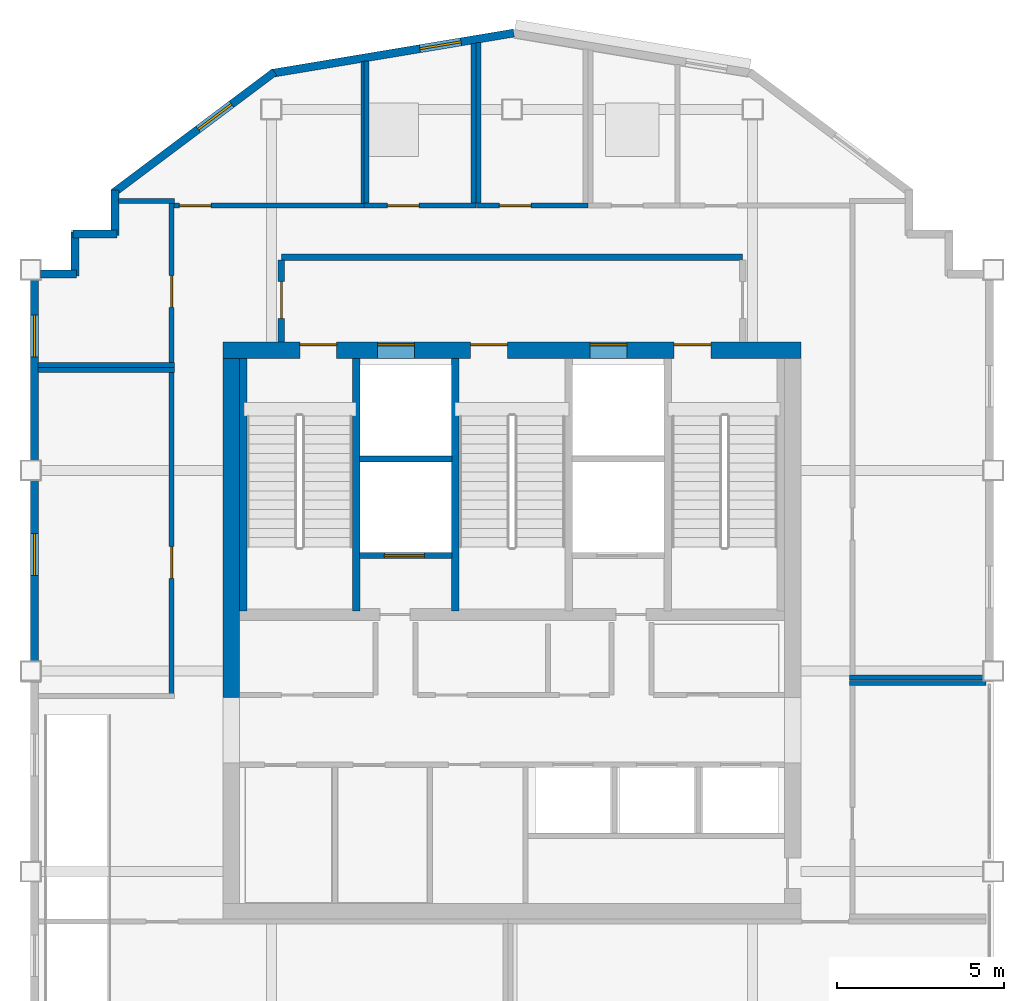
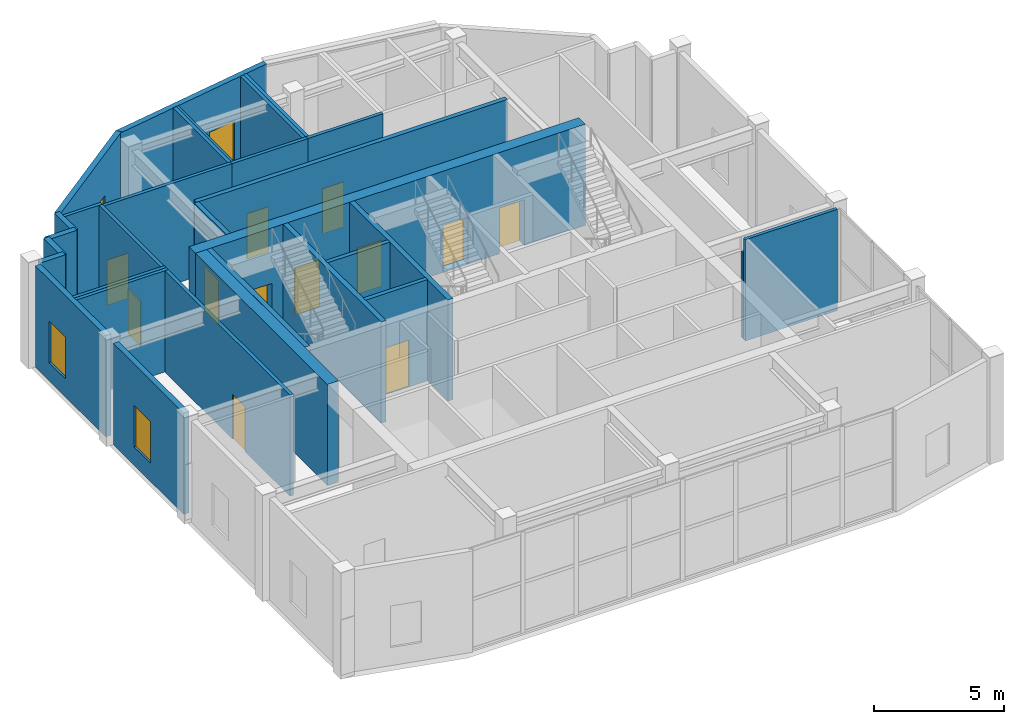
# One storey, part 8 of 11: 31 walls, 12 doors, 4 windows, 16 openings.
"""IFC4 building model written with IfcOpenShell, lengths in metres."""

from ifc_helpers import new_model, si_unit, direction, frame, frame_2d, origin, place, context, subcontext, project, spatial, rectangle, extrude, material, layer, layer_set, type_object, element, fill, save


model = new_model("IFC4")

# Units and contexts
model_context = context("Model", 3, precision=1e-05, world=origin(), true_north=direction((0.0, 1.0)))
body_context = subcontext(model_context, "Body", "Model", "MODEL_VIEW")
ifc_project = project(units=[si_unit("LENGTHUNIT", "METRE"), si_unit("AREAUNIT", "SQUARE_METRE"), si_unit("VOLUMEUNIT", "CUBIC_METRE"), si_unit("PLANEANGLEUNIT", "RADIAN"), si_unit("MASSUNIT", "GRAM", prefix="KILO")], contexts=[model_context])

# Site, building, storey
site_placement = place(None, origin())
site = spatial("IfcSite", under=ifc_project, at=site_placement, CompositionType="ELEMENT")
building_placement = place(site_placement, origin())
building = spatial("IfcBuilding", under=site, at=building_placement, Name="Haolan Belvedere Tower", CompositionType="ELEMENT")
storey_placement = place(building_placement, frame((0.0, 0.0, 323.199951171875)))
storey = spatial("IfcBuildingStorey", under=building, at=storey_placement, Name="L81", CompositionType="ELEMENT", Elevation=323.199951171875)

# Wall, openings, doors
ifc_material_1 = material(Name="Concrete C50/60", Category="concrete")
ifc_layer_1 = layer(ifc_material_1, 0.5, Name="Concrete C50/60")
ifc_layer_set_1 = layer_set([ifc_layer_1], Name="Concrete C50/60")
wall_type_1 = type_object("IfcWallType", Name="WL-CORE-500", PredefinedType="SHEAR", material=ifc_layer_set_1)
wall_1_placement = place(storey_placement, frame((29.75, 43.199951171875, 0.0), z_axis=(0.0, 0.0, 1.0), x_axis=(1.0, 0.0, 0.0)))
wall_1 = element("IfcWall", 1, at=wall_1_placement, inside=storey, type_object=wall_type_1, Name="L81 central core north shear wall", PredefinedType="SHEAR", context=body_context, shape_type="SweptSolid", body=[
    extrude(rectangle(XDim=17.300048828125, YDim=0.5, at=frame_2d((8.64990234375, 0.0))), origin(), (0.0, 0.0, 1.0), 4.75),
])
opening_1_placement = place(wall_1_placement, frame((2.300048828125, 0.0, 0.0)))
opening_1 = element("IfcOpeningElement", 2, at=opening_1_placement, cuts=wall_1, Name="Opening FD-03", PredefinedType="OPENING", context=body_context, shape_type="SweptSolid", body=[
    extrude(rectangle(XDim=1.10009765625, YDim=2.14990234375, at=frame_2d((0.550048828125, 1.074951171875))), frame((0.0, 0.260009765625, 0.0), z_axis=(0.0, -1.0, 0.0), x_axis=(1.0, 0.0, 0.0)), (0.0, 0.0, 1.0), 0.52001953125),
])
opening_2_placement = place(wall_1_placement, frame((7.409912109375, 0.0, 0.0)))
opening_2 = element("IfcOpeningElement", 3, at=opening_2_placement, cuts=wall_1, Name="Opening FD-03", PredefinedType="OPENING", context=body_context, shape_type="SweptSolid", body=[
    extrude(rectangle(XDim=1.10009765625, YDim=2.14990234375, at=frame_2d((0.550048828125, 1.074951171875))), frame((0.0, 0.260009765625, 0.0), z_axis=(0.0, -1.0, 0.0), x_axis=(1.0, 0.0, 0.0)), (0.0, 0.0, 1.0), 0.52001953125),
])
opening_3_placement = place(wall_1_placement, frame((13.5, 0.0, 0.0)))
opening_3 = element("IfcOpeningElement", 4, at=opening_3_placement, cuts=wall_1, Name="Opening FD-03", PredefinedType="OPENING", context=body_context, shape_type="SweptSolid", body=[
    extrude(rectangle(XDim=1.10009765625, YDim=2.14990234375, at=frame_2d((0.550048828125, 1.074951171875))), frame((0.0, 0.260009765625, 0.0), z_axis=(0.0, -1.0, 0.0), x_axis=(1.0, 0.0, 0.0)), (0.0, 0.0, 1.0), 0.52001953125),
])
opening_4_placement = place(wall_1_placement, frame((4.6298828125, 0.0, 0.0)))
opening_4 = element("IfcOpeningElement", 5, at=opening_4_placement, cuts=wall_1, Name="Opening LD-01", PredefinedType="OPENING", context=body_context, shape_type="SweptSolid", body=[
    extrude(rectangle(XDim=1.10009765625, YDim=2.199951171875, at=frame_2d((0.550048828125, 1.10009765625))), frame((0.0, 0.260009765625, 0.0), z_axis=(0.0, -1.0, 0.0), x_axis=(1.0, 0.0, 0.0)), (0.0, 0.0, 1.0), 0.52001953125),
])
opening_5_placement = place(wall_1_placement, frame((10.989990234375, 0.0, 0.0)))
opening_5 = element("IfcOpeningElement", 6, at=opening_5_placement, cuts=wall_1, Name="Opening LD-01", PredefinedType="OPENING", context=body_context, shape_type="SweptSolid", body=[
    extrude(rectangle(XDim=1.10009765625, YDim=2.199951171875, at=frame_2d((0.550048828125, 1.10009765625))), frame((0.0, 0.260009765625, 0.0), z_axis=(0.0, -1.0, 0.0), x_axis=(1.0, 0.0, 0.0)), (0.0, 0.0, 1.0), 0.52001953125),
])
ifc_material_2 = material(Name="Galvanised fire-rated steel", Category="steel")
door_type_1 = type_object("IfcDoorType", Name="DR-FD90-1100", OperationType="NOTDEFINED", PredefinedType="DOOR", material=ifc_material_2)
door_1_placement = place(opening_1_placement, origin())
door_1 = element("IfcDoor", 7, at=door_1_placement, inside=storey, type_object=door_type_1, Name="L81 door CD-L81-ST1", OperationType="SINGLE_SWING_LEFT", OverallHeight=2.14990234375, OverallWidth=1.10009765625, PredefinedType="DOOR", context=body_context, shape_type="SweptSolid", body=[
    extrude(rectangle(XDim=1.10009765625, YDim=2.14990234375, at=frame_2d((0.550048828125, 1.074951171875))), frame((0.0, 0.18505859375, 0.0), z_axis=(0.0, -1.0, 0.0), x_axis=(1.0, 0.0, 0.0)), (0.0, 0.0, 1.0), 0.050048828125),
])
fill(opening_1, door_1)
door_2_placement = place(opening_2_placement, origin())
door_2 = element("IfcDoor", 8, at=door_2_placement, inside=storey, type_object=door_type_1, Name="L81 door CD-L81-ST3", OperationType="SINGLE_SWING_LEFT", OverallHeight=2.14990234375, OverallWidth=1.10009765625, PredefinedType="DOOR", context=body_context, shape_type="SweptSolid", body=[
    extrude(rectangle(XDim=1.10009765625, YDim=2.14990234375, at=frame_2d((0.550048828125, 1.074951171875))), frame((0.0, 0.18505859375, 0.0), z_axis=(0.0, -1.0, 0.0), x_axis=(1.0, 0.0, 0.0)), (0.0, 0.0, 1.0), 0.050048828125),
])
fill(opening_2, door_2)
door_3_placement = place(opening_3_placement, origin())
door_3 = element("IfcDoor", 9, at=door_3_placement, inside=storey, type_object=door_type_1, Name="L81 door CD-L81-ST2", OperationType="SINGLE_SWING_RIGHT", OverallHeight=2.14990234375, OverallWidth=1.10009765625, PredefinedType="DOOR", context=body_context, shape_type="SweptSolid", body=[
    extrude(rectangle(XDim=1.10009765625, YDim=2.14990234375, at=frame_2d((0.550048828125, 1.074951171875))), frame((0.0, 0.18505859375, 0.0), z_axis=(0.0, -1.0, 0.0), x_axis=(1.0, 0.0, 0.0)), (0.0, 0.0, 1.0), 0.050048828125),
])
fill(opening_3, door_3)
ifc_material_3 = material(Name="Brushed champagne stainless steel 316L", Category="steel")
door_type_2 = type_object("IfcDoorType", Name="DR-LIFT-1100", OperationType="SLIDING_TO_LEFT", PredefinedType="DOOR", material=ifc_material_3)
door_4_placement = place(opening_4_placement, origin())
door_4 = element("IfcDoor", 10, at=door_4_placement, inside=storey, type_object=door_type_2, Name="L81 door LD-L81-FF1", OperationType="SLIDING_TO_LEFT", OverallHeight=2.199951171875, OverallWidth=1.10009765625, PredefinedType="DOOR", context=body_context, shape_type="SweptSolid", body=[
    extrude(rectangle(XDim=1.10009765625, YDim=2.199951171875, at=frame_2d((0.550048828125, 1.10009765625))), frame((0.0, 0.18505859375, 0.0), z_axis=(0.0, -1.0, 0.0), x_axis=(1.0, 0.0, 0.0)), (0.0, 0.0, 1.0), 0.050048828125),
])
fill(opening_4, door_4)
door_5_placement = place(opening_5_placement, origin())
door_5 = element("IfcDoor", 11, at=door_5_placement, inside=storey, type_object=door_type_2, Name="L81 door LD-L81-FF2", OperationType="SLIDING_TO_LEFT", OverallHeight=2.199951171875, OverallWidth=1.10009765625, PredefinedType="DOOR", context=body_context, shape_type="SweptSolid", body=[
    extrude(rectangle(XDim=1.10009765625, YDim=2.199951171875, at=frame_2d((0.550048828125, 1.10009765625))), frame((0.0, 0.18505859375, 0.0), z_axis=(0.0, -1.0, 0.0), x_axis=(1.0, 0.0, 0.0)), (0.0, 0.0, 1.0), 0.050048828125),
])
fill(opening_5, door_5)

# Wall
wall_2_placement = place(storey_placement, frame((30.0, 32.800048828125, 0.0), z_axis=(0.0, 0.0, 1.0), x_axis=(0.0, 1.0, 0.0)))
element("IfcWall", 12, at=wall_2_placement, inside=storey, type_object=wall_type_1, Name="L81 central core shear wall WN", PredefinedType="SHEAR", context=body_context, shape_type="SweptSolid", body=[
    extrude(rectangle(XDim=10.14990234375, YDim=0.5, at=frame_2d((5.074951171875, 0.0))), origin(), (0.0, 0.0, 1.0), 4.75),
])

# Wall, opening, window
ifc_material_4 = material(Name="Precast concrete C40/50", Category="concrete")
ifc_layer_2 = layer(ifc_material_4, 0.239990234375, Name="Precast concrete C40/50")
ifc_layer_set_2 = layer_set([ifc_layer_2], Name="Precast concrete C40/50")
wall_type_2 = type_object("IfcWallType", Name="WL-EXT-240", PredefinedType="SOLIDWALL", material=ifc_layer_set_2)
wall_3_placement = place(storey_placement, frame((38.454345703125, 52.687255859375, 0.0), z_axis=(0.0, 0.0, 1.0), x_axis=(-0.986394820321, -0.164393608283, 0.0)))
wall_3 = element("IfcWall", 13, at=wall_3_placement, inside=storey, type_object=wall_type_2, Name="L81 pale-metal exterior spandrel wall 10.1", PredefinedType="SOLIDWALL", context=body_context, shape_type="SweptSolid", body=[
    extrude(rectangle(XDim=7.360107421875, YDim=0.239990234375, at=frame_2d((3.68017578125, 0.0))), origin(), (0.0, 0.0, 1.0), 4.75),
])
opening_6_placement = place(wall_3_placement, frame((1.60009765625, 0.0, 0.85009765625)))
opening_6 = element("IfcOpeningElement", 14, at=opening_6_placement, cuts=wall_3, Name="Opening W-04", PredefinedType="OPENING", context=body_context, shape_type="SweptSolid", body=[
    extrude(rectangle(XDim=1.25, YDim=1.949951171875, at=frame_2d((0.625, 0.97509765625))), frame((0.0, 0.1298828125, 0.0), z_axis=(0.0, -1.0, 0.0), x_axis=(1.0, 0.0, 0.0)), (0.0, 0.0, 1.0), 0.260009765625),
])
ifc_material_5 = material(Name="Anodised aluminium 6063-T6 and Low-E glass", Category="aluminium")
window_type = type_object("IfcWindowType", Name="WN-DECO-Z4", PartitioningType="SINGLE_PANEL", PredefinedType="WINDOW", material=ifc_material_5)
window_1_placement = place(opening_6_placement, origin())
window_1 = element("IfcWindow", 15, at=window_1_placement, inside=storey, type_object=window_type, Name="L81 Art Deco chevron window 1", OverallHeight=1.949951171875, OverallWidth=1.25, PartitioningType="SINGLE_PANEL", PredefinedType="WINDOW", context=body_context, shape_type="SweptSolid", body=[
    extrude(rectangle(XDim=1.25, YDim=1.949951171875, at=frame_2d((0.625, 0.97509765625))), frame((0.0, 0.030029296875, 0.0), z_axis=(0.0, -1.0, 0.0), x_axis=(1.0, 0.0, 0.0)), (0.0, 0.0, 1.0), 0.06005859375),
])
fill(opening_6, window_1)

wall_4_placement = place(storey_placement, frame((31.29248046875, 51.519287109375, 0.0), z_axis=(0.0, 0.0, 1.0), x_axis=(-0.8, -0.6, 0.0)))
wall_4 = element("IfcWall", 16, at=wall_4_placement, inside=storey, type_object=wall_type_2, Name="L81 pale-metal exterior spandrel wall 11.1", PredefinedType="SOLIDWALL", context=body_context, shape_type="SweptSolid", body=[
    extrude(rectangle(XDim=6.0205078125, YDim=0.239990234375, at=frame_2d((3.01025390625, 0.0))), origin(), (0.0, 0.0, 1.0), 4.75),
])
opening_7_placement = place(wall_4_placement, frame((1.60009765625, 0.0, 0.85009765625)))
opening_7 = element("IfcOpeningElement", 17, at=opening_7_placement, cuts=wall_4, Name="Opening W-04", PredefinedType="OPENING", context=body_context, shape_type="SweptSolid", body=[
    extrude(rectangle(XDim=1.25, YDim=1.949951171875, at=frame_2d((0.625, 0.97509765625))), frame((0.0, 0.1298828125, 0.0), z_axis=(0.0, -1.0, 0.0), x_axis=(1.0, 0.0, 0.0)), (0.0, 0.0, 1.0), 0.260009765625),
])
window_2_placement = place(opening_7_placement, origin())
window_2 = element("IfcWindow", 18, at=window_2_placement, inside=storey, type_object=window_type, Name="L81 Art Deco chevron window 1", OverallHeight=1.949951171875, OverallWidth=1.25, PartitioningType="SINGLE_PANEL", PredefinedType="WINDOW", context=body_context, shape_type="SweptSolid", body=[
    extrude(rectangle(XDim=1.25, YDim=1.949951171875, at=frame_2d((0.625, 0.97509765625))), frame((0.0, 0.030029296875, 0.0), z_axis=(0.0, -1.0, 0.0), x_axis=(1.0, 0.0, 0.0)), (0.0, 0.0, 1.0), 0.06005859375),
])
fill(opening_7, window_2)

# Walls
wall_5_placement = place(storey_placement, frame((26.52001953125, 47.9951171875, 0.0), z_axis=(0.0, 0.0, 1.0), x_axis=(0.0, -1.0, 0.0)))
element("IfcWall", 19, at=wall_5_placement, inside=storey, type_object=wall_type_2, Name="L81 pale-metal exterior spandrel wall 12.1", PredefinedType="SOLIDWALL", context=body_context, shape_type="SweptSolid", body=[
    extrude(rectangle(XDim=1.3701171875, YDim=0.239990234375, at=frame_2d((0.68505859375, 0.0))), origin(), (0.0, 0.0, 1.0), 4.75),
])
for number, where, z_axis, x_axis, name in (
    (20, (26.574951171875, 46.679931640625, 0.0), (0.0, 0.0, 1.0), (-1.0, 0.0, 0.0), "L81 pale-metal exterior spandrel wall 13.1"),
    (21, (25.320068359375, 46.735107421875, 0.0), (0.0, 0.0, 1.0), (0.0, -1.0, 0.0), "L81 pale-metal exterior spandrel wall 14.1"),
):
    element("IfcWall", number, at=place(storey_placement, frame(where, z_axis=z_axis, x_axis=x_axis)), inside=storey, type_object=wall_type_2, Name=name, PredefinedType="SOLIDWALL", context=body_context, shape_type="SweptSolid", body=[
        extrude(rectangle(XDim=1.31005859375, YDim=0.239990234375, at=frame_2d((0.655029296875, 0.0))), origin(), (0.0, 0.0, 1.0), 4.75),
    ])
wall_6_placement = place(storey_placement, frame((25.375, 45.47998046875, 0.0), z_axis=(0.0, 0.0, 1.0), x_axis=(-1.0, 0.0, 0.0)))
element("IfcWall", 22, at=wall_6_placement, inside=storey, type_object=wall_type_2, Name="L81 pale-metal exterior spandrel wall 15.1", PredefinedType="SOLIDWALL", context=body_context, shape_type="SweptSolid", body=[
    extrude(rectangle(XDim=1.0830078125, YDim=0.239990234375, at=frame_2d((0.54150390625, 0.0))), origin(), (0.0, 0.0, 1.0), 4.75),
])

# Wall, opening, window
wall_7_placement = place(storey_placement, frame((24.1201171875, 45.30810546875, 0.0), z_axis=(0.0, 0.0, 1.0), x_axis=(0.0, -1.0, 0.0)))
wall_7 = element("IfcWall", 23, at=wall_7_placement, inside=storey, type_object=wall_type_2, Name="L81 pale-metal exterior spandrel wall 16.1", PredefinedType="SOLIDWALL", context=body_context, shape_type="SweptSolid", body=[
    extrude(rectangle(XDim=5.416015625, YDim=0.239990234375, at=frame_2d((2.7080078125, 0.0))), origin(), (0.0, 0.0, 1.0), 4.75),
])
opening_8_placement = place(wall_7_placement, frame((1.06298828125, 0.0, 0.85009765625)))
opening_8 = element("IfcOpeningElement", 24, at=opening_8_placement, cuts=wall_7, Name="Opening W-04", PredefinedType="OPENING", context=body_context, shape_type="SweptSolid", body=[
    extrude(rectangle(XDim=1.25, YDim=1.949951171875, at=frame_2d((0.625, 0.97509765625))), frame((0.0, 0.1298828125, 0.0), z_axis=(0.0, -1.0, 0.0), x_axis=(1.0, 0.0, 0.0)), (0.0, 0.0, 1.0), 0.260009765625),
])
window_3_placement = place(opening_8_placement, origin())
window_3 = element("IfcWindow", 25, at=window_3_placement, inside=storey, type_object=window_type, Name="L81 Art Deco chevron window 1", OverallHeight=1.949951171875, OverallWidth=1.25, PartitioningType="SINGLE_PANEL", PredefinedType="WINDOW", context=body_context, shape_type="SweptSolid", body=[
    extrude(rectangle(XDim=1.25, YDim=1.949951171875, at=frame_2d((0.625, 0.97509765625))), frame((0.0, 0.030029296875, 0.0), z_axis=(0.0, -1.0, 0.0), x_axis=(1.0, 0.0, 0.0)), (0.0, 0.0, 1.0), 0.06005859375),
])
fill(opening_8, window_3)

wall_8_placement = place(storey_placement, frame((24.1201171875, 39.30810546875, 0.0), z_axis=(0.0, 0.0, 1.0), x_axis=(0.0, -1.0, 0.0)))
wall_8 = element("IfcWall", 26, at=wall_8_placement, inside=storey, type_object=wall_type_2, Name="L81 pale-metal exterior spandrel wall 16.2", PredefinedType="SOLIDWALL", context=body_context, shape_type="SweptSolid", body=[
    extrude(rectangle(XDim=5.416015625, YDim=0.239990234375, at=frame_2d((2.7080078125, 0.0))), origin(), (0.0, 0.0, 1.0), 4.75),
])
opening_9_placement = place(wall_8_placement, frame((1.60009765625, 0.0, 0.85009765625)))
opening_9 = element("IfcOpeningElement", 27, at=opening_9_placement, cuts=wall_8, Name="Opening W-04", PredefinedType="OPENING", context=body_context, shape_type="SweptSolid", body=[
    extrude(rectangle(XDim=1.25, YDim=1.949951171875, at=frame_2d((0.625, 0.97509765625))), frame((0.0, 0.1298828125, 0.0), z_axis=(0.0, -1.0, 0.0), x_axis=(1.0, 0.0, 0.0)), (0.0, 0.0, 1.0), 0.260009765625),
])
window_4_placement = place(opening_9_placement, origin())
window_4 = element("IfcWindow", 28, at=window_4_placement, inside=storey, type_object=window_type, Name="L81 Art Deco chevron window 1", OverallHeight=1.949951171875, OverallWidth=1.25, PartitioningType="SINGLE_PANEL", PredefinedType="WINDOW", context=body_context, shape_type="SweptSolid", body=[
    extrude(rectangle(XDim=1.25, YDim=1.949951171875, at=frame_2d((0.625, 0.97509765625))), frame((0.0, 0.030029296875, 0.0), z_axis=(0.0, -1.0, 0.0), x_axis=(1.0, 0.0, 0.0)), (0.0, 0.0, 1.0), 0.06005859375),
])
fill(opening_9, window_4)

# Wall
ifc_material_6 = material(Name="Concrete C40/50", Category="concrete")
ifc_layer_3 = layer(ifc_material_6, 0.199951171875, Name="Concrete C40/50")
ifc_layer_set_3 = layer_set([ifc_layer_3], Name="Concrete C40/50")
wall_type_3 = type_object("IfcWallType", Name="WL-FIRE-200", PredefinedType="SOLIDWALL", material=ifc_layer_set_3)
wall_9_placement = place(storey_placement, frame((31.5, 45.97998046875, 0.0), z_axis=(0.0, 0.0, 1.0), x_axis=(1.0, 0.0, 0.0)))
element("IfcWall", 29, at=wall_9_placement, inside=storey, type_object=wall_type_3, Name="L81 interior partition IW-L81-FFL-N", PredefinedType="SOLIDWALL", context=body_context, shape_type="SweptSolid", body=[
    extrude(rectangle(XDim=13.800048828125, YDim=0.199951171875, at=frame_2d((6.89990234375, 0.0))), origin(), (0.0, 0.0, 1.0), 4.75),
])

# Wall, opening, door
wall_10_placement = place(storey_placement, frame((31.5, 43.449951171875, 0.0), z_axis=(0.0, 0.0, 1.0), x_axis=(0.0, 1.0, 0.0)))
wall_10 = element("IfcWall", 30, at=wall_10_placement, inside=storey, type_object=wall_type_3, Name="L81 interior partition IW-L81-FFL-W", PredefinedType="SOLIDWALL", context=body_context, shape_type="SweptSolid", body=[
    extrude(rectangle(XDim=2.445068359375, YDim=0.199951171875, at=frame_2d((1.22265625, 0.0))), origin(), (0.0, 0.0, 1.0), 4.75),
])
opening_10_placement = place(wall_10_placement, frame((1.800048828125, 0.0, 0.0), z_axis=(0.0, 0.0, 1.0), x_axis=(-1.0, 0.0, 0.0)))
opening_10 = element("IfcOpeningElement", 31, at=opening_10_placement, cuts=wall_10, Name="Opening FD-03", PredefinedType="OPENING", context=body_context, shape_type="SweptSolid", body=[
    extrude(rectangle(XDim=1.10009765625, YDim=2.14990234375, at=frame_2d((0.550048828125, 1.074951171875))), frame((0.0, 0.10986328125, 0.0), z_axis=(0.0, -1.0, 0.0), x_axis=(1.0, 0.0, 0.0)), (0.0, 0.0, 1.0), 0.219970703125),
])
door_6_placement = place(opening_10_placement, origin())
door_6 = element("IfcDoor", 32, at=door_6_placement, inside=storey, type_object=door_type_1, Name="L81 door ID-L81-FFL-DW", OperationType="SINGLE_SWING_LEFT", OverallHeight=2.14990234375, OverallWidth=1.10009765625, PredefinedType="DOOR", context=body_context, shape_type="SweptSolid", body=[
    extrude(rectangle(XDim=1.10009765625, YDim=2.14990234375, at=frame_2d((0.550048828125, 1.074951171875))), frame((0.0, 0.02490234375, 0.0), z_axis=(0.0, -1.0, 0.0), x_axis=(1.0, 0.0, 0.0)), (0.0, 0.0, 1.0), 0.050048828125),
])
fill(opening_10, door_6)

ifc_material_7 = material(Name="Double gypsum acoustic stud partition", Category="masonry")
ifc_layer_4 = layer(ifc_material_7, 0.14990234375, Name="Double gypsum acoustic stud partition")
ifc_layer_set_4 = layer_set([ifc_layer_4], Name="Double gypsum acoustic stud partition")
wall_type_4 = type_object("IfcWallType", Name="WL-PART-150", PredefinedType="PARTITIONING", material=ifc_layer_set_4)
wall_11_placement = place(storey_placement, frame((33.969970703125, 47.52001953125, 0.0), z_axis=(0.0, 0.0, 1.0), x_axis=(1.0, 0.0, 0.0)))
wall_11 = element("IfcWall", 33, at=wall_11_placement, inside=storey, type_object=wall_type_4, Name="L81 interior partition IW-L81-WCM-S", PredefinedType="PARTITIONING", context=body_context, shape_type="SweptSolid", body=[
    extrude(rectangle(XDim=3.360107421875, YDim=0.14990234375, at=frame_2d((1.68017578125, 0.0))), origin(), (0.0, 0.0, 1.0), 4.75),
])
opening_11_placement = place(wall_11_placement, frame((0.699951171875, 0.0, 0.0)))
opening_11 = element("IfcOpeningElement", 34, at=opening_11_placement, cuts=wall_11, Name="Opening ID-03", PredefinedType="OPENING", context=body_context, shape_type="SweptSolid", body=[
    extrude(rectangle(XDim=0.949951171875, YDim=2.1201171875, at=frame_2d((0.47509765625, 1.06005859375))), frame((0.0, 0.0849609375, 0.0), z_axis=(0.0, -1.0, 0.0), x_axis=(1.0, 0.0, 0.0)), (0.0, 0.0, 1.0), 0.169921875),
])
ifc_material_8 = material(Name="Painted solid-core timber", Category="wood")
door_type_3 = type_object("IfcDoorType", Name="DR-INT-950", OperationType="NOTDEFINED", PredefinedType="DOOR", material=ifc_material_8)
door_7_placement = place(opening_11_placement, origin())
door_7 = element("IfcDoor", 35, at=door_7_placement, inside=storey, type_object=door_type_3, Name="L81 door ID-L81-WCM", OperationType="SINGLE_SWING_LEFT", OverallHeight=2.1201171875, OverallWidth=0.949951171875, PredefinedType="DOOR", context=body_context, shape_type="SweptSolid", body=[
    extrude(rectangle(XDim=0.949951171875, YDim=2.1201171875, at=frame_2d((0.47509765625, 1.06005859375))), frame((0.0, 0.02490234375, 0.0), z_axis=(0.0, -1.0, 0.0), x_axis=(1.0, 0.0, 0.0)), (0.0, 0.0, 1.0), 0.050048828125),
])
fill(opening_11, door_7)

# Walls
wall_12_placement = place(storey_placement, frame((34.050048828125, 47.580078125, 0.0), z_axis=(0.0, 0.0, 1.0), x_axis=(0.0, 1.0, 0.0)))
element("IfcWall", 36, at=wall_12_placement, inside=storey, type_object=wall_type_4, Name="L81 interior partition IW-L81-WCM-W", PredefinedType="PARTITIONING", context=body_context, shape_type="SweptSolid", body=[
    extrude(rectangle(XDim=4.266845703125, YDim=0.14990234375, at=frame_2d((2.13330078125, 0.0))), origin(), (0.0, 0.0, 1.0), 4.75),
])
wall_13_placement = place(storey_placement, frame((37.25, 47.580078125, 0.0), z_axis=(0.0, 0.0, 1.0), x_axis=(0.0, 1.0, 0.0)))
element("IfcWall", 37, at=wall_13_placement, inside=storey, type_object=wall_type_4, Name="L81 interior partition IW-L81-WCM-E", PredefinedType="PARTITIONING", context=body_context, shape_type="SweptSolid", body=[
    extrude(rectangle(XDim=4.800048828125, YDim=0.14990234375, at=frame_2d((2.39990234375, 0.0))), origin(), (0.0, 0.0, 1.0), 4.75),
])

# Wall, opening, door
wall_14_placement = place(storey_placement, frame((37.33203125, 47.52001953125, 0.0), z_axis=(0.0, 0.0, 1.0), x_axis=(1.0, 0.0, 0.0)))
wall_14 = element("IfcWall", 38, at=wall_14_placement, inside=storey, type_object=wall_type_4, Name="L81 interior partition IW-L81-WCF-S", PredefinedType="PARTITIONING", context=body_context, shape_type="SweptSolid", body=[
    extrude(rectangle(XDim=3.347900390625, YDim=0.14990234375, at=frame_2d((1.673828125, 0.0))), origin(), (0.0, 0.0, 1.0), 4.75),
])
opening_12_placement = place(wall_14_placement, frame((0.68798828125, 0.0, 0.0)))
opening_12 = element("IfcOpeningElement", 39, at=opening_12_placement, cuts=wall_14, Name="Opening ID-03", PredefinedType="OPENING", context=body_context, shape_type="SweptSolid", body=[
    extrude(rectangle(XDim=0.949951171875, YDim=2.1201171875, at=frame_2d((0.47509765625, 1.06005859375))), frame((0.0, 0.0849609375, 0.0), z_axis=(0.0, -1.0, 0.0), x_axis=(1.0, 0.0, 0.0)), (0.0, 0.0, 1.0), 0.169921875),
])
door_8_placement = place(opening_12_placement, origin())
door_8 = element("IfcDoor", 40, at=door_8_placement, inside=storey, type_object=door_type_3, Name="L81 door ID-L81-WCF", OperationType="SINGLE_SWING_RIGHT", OverallHeight=2.1201171875, OverallWidth=0.949951171875, PredefinedType="DOOR", context=body_context, shape_type="SweptSolid", body=[
    extrude(rectangle(XDim=0.949951171875, YDim=2.1201171875, at=frame_2d((0.47509765625, 1.06005859375))), frame((0.0, 0.02490234375, 0.0), z_axis=(0.0, -1.0, 0.0), x_axis=(1.0, 0.0, 0.0)), (0.0, 0.0, 1.0), 0.050048828125),
])
fill(opening_12, door_8)

# Walls
wall_15_placement = place(storey_placement, frame((37.39990234375, 47.580078125, 0.0), z_axis=(0.0, 0.0, 1.0), x_axis=(0.0, 1.0, 0.0)))
element("IfcWall", 41, at=wall_15_placement, inside=storey, type_object=wall_type_4, Name="L81 interior partition IW-L81-WCF-W", PredefinedType="PARTITIONING", context=body_context, shape_type="SweptSolid", body=[
    extrude(rectangle(XDim=4.824951171875, YDim=0.14990234375, at=frame_2d((2.41259765625, 0.0))), origin(), (0.0, 0.0, 1.0), 4.75),
])
wall_16_placement = place(storey_placement, frame((24.22509765625, 42.60009765625, 0.0), z_axis=(0.0, 0.0, 1.0), x_axis=(1.0, 0.0, 0.0)))
element("IfcWall", 42, at=wall_16_placement, inside=storey, type_object=wall_type_4, Name="L81 interior partition IW-L81-CBAR-N", PredefinedType="PARTITIONING", context=body_context, shape_type="SweptSolid", body=[
    extrude(rectangle(XDim=4.074951171875, YDim=0.14990234375, at=frame_2d((2.03759765625, 0.0))), origin(), (0.0, 0.0, 1.0), 4.75),
])

# Wall, opening, door
wall_17_placement = place(storey_placement, frame((28.219970703125, 32.909912109375, 0.0), z_axis=(0.0, 0.0, 1.0), x_axis=(0.0, 1.0, 0.0)))
wall_17 = element("IfcWall", 43, at=wall_17_placement, inside=storey, type_object=wall_type_4, Name="L81 interior partition IW-L81-CBAR-E", PredefinedType="PARTITIONING", context=body_context, shape_type="SweptSolid", body=[
    extrude(rectangle(XDim=9.630126953125, YDim=0.14990234375, at=frame_2d((4.81494140625, 0.0))), origin(), (0.0, 0.0, 1.0), 4.75),
])
opening_13_placement = place(wall_17_placement, frame((4.409912109375, 0.0, 0.0), z_axis=(0.0, 0.0, 1.0), x_axis=(-1.0, 0.0, 0.0)))
opening_13 = element("IfcOpeningElement", 44, at=opening_13_placement, cuts=wall_17, Name="Opening ID-03", PredefinedType="OPENING", context=body_context, shape_type="SweptSolid", body=[
    extrude(rectangle(XDim=0.949951171875, YDim=2.1201171875, at=frame_2d((0.47509765625, 1.06005859375))), frame((0.0, 0.0849609375, 0.0), z_axis=(0.0, -1.0, 0.0), x_axis=(1.0, 0.0, 0.0)), (0.0, 0.0, 1.0), 0.169921875),
])
door_9_placement = place(opening_13_placement, origin())
door_9 = element("IfcDoor", 45, at=door_9_placement, inside=storey, type_object=door_type_3, Name="L81 door ID-L81-CBAR", OperationType="SINGLE_SWING_LEFT", OverallHeight=2.1201171875, OverallWidth=0.949951171875, PredefinedType="DOOR", context=body_context, shape_type="SweptSolid", body=[
    extrude(rectangle(XDim=0.949951171875, YDim=2.1201171875, at=frame_2d((0.47509765625, 1.06005859375))), frame((0.0, 0.02490234375, 0.0), z_axis=(0.0, -1.0, 0.0), x_axis=(1.0, 0.0, 0.0)), (0.0, 0.0, 1.0), 0.050048828125),
])
fill(opening_13, door_9)

# Walls
wall_18_placement = place(storey_placement, frame((26.625, 47.659912109375, 0.0), z_axis=(0.0, 0.0, 1.0), x_axis=(1.0, 0.0, 0.0)))
element("IfcWall", 46, at=wall_18_placement, inside=storey, type_object=wall_type_4, Name="L81 interior partition IW-L81-PANT-N", PredefinedType="PARTITIONING", context=body_context, shape_type="SweptSolid", body=[
    extrude(rectangle(XDim=1.675048828125, YDim=0.14990234375, at=frame_2d((0.83740234375, 0.0))), origin(), (0.0, 0.0, 1.0), 4.75),
])
wall_19_placement = place(storey_placement, frame((24.22509765625, 42.760009765625, 0.0), z_axis=(0.0, 0.0, 1.0), x_axis=(1.0, 0.0, 0.0)))
element("IfcWall", 47, at=wall_19_placement, inside=storey, type_object=wall_type_4, Name="L81 interior partition IW-L81-PANT-S", PredefinedType="PARTITIONING", context=body_context, shape_type="SweptSolid", body=[
    extrude(rectangle(XDim=4.074951171875, YDim=0.14990234375, at=frame_2d((2.03759765625, 0.0))), origin(), (0.0, 0.0, 1.0), 4.75),
])

# Wall, opening, door
wall_20_placement = place(storey_placement, frame((28.219970703125, 42.820068359375, 0.0), z_axis=(0.0, 0.0, 1.0), x_axis=(0.0, 1.0, 0.0)))
wall_20 = element("IfcWall", 48, at=wall_20_placement, inside=storey, type_object=wall_type_4, Name="L81 interior partition IW-L81-PANT-E", PredefinedType="PARTITIONING", context=body_context, shape_type="SweptSolid", body=[
    extrude(rectangle(XDim=4.780029296875, YDim=0.14990234375, at=frame_2d((2.39013671875, 0.0))), origin(), (0.0, 0.0, 1.0), 4.75),
])
opening_14_placement = place(wall_20_placement, frame((2.60986328125, 0.0, 0.0), z_axis=(0.0, 0.0, 1.0), x_axis=(-1.0, 0.0, 0.0)))
opening_14 = element("IfcOpeningElement", 49, at=opening_14_placement, cuts=wall_20, Name="Opening ID-03", PredefinedType="OPENING", context=body_context, shape_type="SweptSolid", body=[
    extrude(rectangle(XDim=0.949951171875, YDim=2.1201171875, at=frame_2d((0.47509765625, 1.06005859375))), frame((0.0, 0.0849609375, 0.0), z_axis=(0.0, -1.0, 0.0), x_axis=(1.0, 0.0, 0.0)), (0.0, 0.0, 1.0), 0.169921875),
])
door_10_placement = place(opening_14_placement, origin())
door_10 = element("IfcDoor", 50, at=door_10_placement, inside=storey, type_object=door_type_3, Name="L81 door ID-L81-PANT", OperationType="SINGLE_SWING_RIGHT", OverallHeight=2.1201171875, OverallWidth=0.949951171875, PredefinedType="DOOR", context=body_context, shape_type="SweptSolid", body=[
    extrude(rectangle(XDim=0.949951171875, YDim=2.1201171875, at=frame_2d((0.47509765625, 1.06005859375))), frame((0.0, 0.02490234375, 0.0), z_axis=(0.0, -1.0, 0.0), x_axis=(1.0, 0.0, 0.0)), (0.0, 0.0, 1.0), 0.050048828125),
])
fill(opening_14, door_10)

# Walls
wall_21_placement = place(storey_placement, frame((48.5, 33.39990234375, 0.0), z_axis=(0.0, 0.0, 1.0), x_axis=(1.0, 0.0, 0.0)))
element("IfcWall", 51, at=wall_21_placement, inside=storey, type_object=wall_type_4, Name="L81 interior partition IW-L81-VIPL-S", PredefinedType="PARTITIONING", context=body_context, shape_type="SweptSolid", body=[
    extrude(rectangle(XDim=4.087890625, YDim=0.14990234375, at=frame_2d((2.0439453125, 0.0))), origin(), (0.0, 0.0, 1.0), 4.03515625),
])
wall_22_placement = place(storey_placement, frame((48.5, 33.239990234375, 0.0), z_axis=(0.0, 0.0, 1.0), x_axis=(1.0, 0.0, 0.0)))
element("IfcWall", 52, at=wall_22_placement, inside=storey, type_object=wall_type_4, Name="L81 interior partition IW-L81-BRD81-N", PredefinedType="PARTITIONING", context=body_context, shape_type="SweptSolid", body=[
    extrude(rectangle(XDim=4.087890625, YDim=0.14990234375, at=frame_2d((2.0439453125, 0.0))), origin(), (0.0, 0.0, 1.0), 4.75),
])

# Wall, opening, door
wall_23_placement = place(storey_placement, frame((28.280029296875, 47.52001953125, 0.0), z_axis=(0.0, 0.0, 1.0), x_axis=(1.0, 0.0, 0.0)))
wall_23 = element("IfcWall", 53, at=wall_23_placement, inside=storey, type_object=wall_type_4, Name="L81 interior partition IW-L81-NWLNG-S", PredefinedType="PARTITIONING", context=body_context, shape_type="SweptSolid", body=[
    extrude(rectangle(XDim=5.68798828125, YDim=0.14990234375, at=frame_2d((2.843994140625, 0.0))), origin(), (0.0, 0.0, 1.0), 4.75),
])
opening_15_placement = place(wall_23_placement, frame((0.169921875, 0.0, 0.0)))
opening_15 = element("IfcOpeningElement", 54, at=opening_15_placement, cuts=wall_23, Name="Opening ID-03", PredefinedType="OPENING", context=body_context, shape_type="SweptSolid", body=[
    extrude(rectangle(XDim=0.949951171875, YDim=2.1201171875, at=frame_2d((0.47509765625, 1.06005859375))), frame((0.0, 0.0849609375, 0.0), z_axis=(0.0, -1.0, 0.0), x_axis=(1.0, 0.0, 0.0)), (0.0, 0.0, 1.0), 0.169921875),
])
door_11_placement = place(opening_15_placement, origin())
door_11 = element("IfcDoor", 55, at=door_11_placement, inside=storey, type_object=door_type_3, Name="L81 door ID-L81-NWLNG", OperationType="SINGLE_SWING_LEFT", OverallHeight=2.1201171875, OverallWidth=0.949951171875, PredefinedType="DOOR", context=body_context, shape_type="SweptSolid", body=[
    extrude(rectangle(XDim=0.949951171875, YDim=2.1201171875, at=frame_2d((0.47509765625, 1.06005859375))), frame((0.0, 0.02490234375, 0.0), z_axis=(0.0, -1.0, 0.0), x_axis=(1.0, 0.0, 0.0)), (0.0, 0.0, 1.0), 0.050048828125),
])
fill(opening_15, door_11)

# Walls
wall_24_placement = place(storey_placement, frame((33.949951171875, 47.580078125, 0.0), z_axis=(0.0, 0.0, 1.0), x_axis=(0.0, 1.0, 0.0)))
element("IfcWall", 56, at=wall_24_placement, inside=storey, type_object=wall_type_4, Name="L81 interior partition IW-L81-NWLNG-E", PredefinedType="PARTITIONING", context=body_context, shape_type="SweptSolid", body=[
    extrude(rectangle(XDim=4.25, YDim=0.14990234375, at=frame_2d((2.125, 0.0))), origin(), (0.0, 0.0, 1.0), 4.75),
])
ifc_layer_5 = layer(ifc_material_4, 0.179931640625, Name="Precast concrete C40/50")
ifc_layer_set_5 = layer_set([ifc_layer_5], Name="Precast concrete C40/50")
wall_type_5 = type_object("IfcWallType", Name="WL-SHAFT-180", PredefinedType="SOLIDWALL", material=ifc_layer_set_5)
wall_25_placement = place(storey_placement, frame((33.8349609375, 39.949951171875, 0.0), z_axis=(0.0, 0.0, 1.0), x_axis=(1.0, 0.0, 0.0)))
element("IfcWall", 57, at=wall_25_placement, inside=storey, type_object=wall_type_5, Name="L81 interior partition IW-L81-FF1-S", PredefinedType="SOLIDWALL", context=body_context, shape_type="SweptSolid", body=[
    extrude(rectangle(XDim=2.77001953125, YDim=0.179931640625, at=frame_2d((1.385009765625, 0.0))), origin(), (0.0, 0.0, 1.0), 4.75),
])

# Wall, opening, door
wall_26_placement = place(storey_placement, frame((33.8349609375, 37.050048828125, 0.0), z_axis=(0.0, 0.0, 1.0), x_axis=(1.0, 0.0, 0.0)))
wall_26 = element("IfcWall", 58, at=wall_26_placement, inside=storey, type_object=wall_type_5, Name="L81 interior partition IW-L81-SV1-S", PredefinedType="SOLIDWALL", context=body_context, shape_type="SweptSolid", body=[
    extrude(rectangle(XDim=2.77001953125, YDim=0.179931640625, at=frame_2d((1.385009765625, 0.0))), origin(), (0.0, 0.0, 1.0), 4.75),
])
opening_16_placement = place(wall_26_placement, frame((1.945068359375, 0.0, 0.0), z_axis=(0.0, 0.0, 1.0), x_axis=(-1.0, 0.0, 0.0)))
opening_16 = element("IfcOpeningElement", 59, at=opening_16_placement, cuts=wall_26, Name="Opening LD-02", PredefinedType="OPENING", context=body_context, shape_type="SweptSolid", body=[
    extrude(rectangle(XDim=1.199951171875, YDim=2.199951171875, at=frame_2d((0.60009765625, 1.10009765625))), frame((0.0, 0.099853515625, 0.0), z_axis=(0.0, -1.0, 0.0), x_axis=(1.0, 0.0, 0.0)), (0.0, 0.0, 1.0), 0.199951171875),
])
door_type_4 = type_object("IfcDoorType", Name="DR-LIFT-1200", OperationType="SLIDING_TO_RIGHT", PredefinedType="DOOR", material=ifc_material_3)
door_12_placement = place(opening_16_placement, origin())
door_12 = element("IfcDoor", 60, at=door_12_placement, inside=storey, type_object=door_type_4, Name="L81 door ID-L81-LD-SV1", OperationType="SLIDING_TO_RIGHT", OverallHeight=2.199951171875, OverallWidth=1.199951171875, PredefinedType="DOOR", context=body_context, shape_type="SweptSolid", body=[
    extrude(rectangle(XDim=1.199951171875, YDim=2.199951171875, at=frame_2d((0.60009765625, 1.10009765625))), frame((0.0, 0.02490234375, 0.0), z_axis=(0.0, -1.0, 0.0), x_axis=(1.0, 0.0, 0.0)), (0.0, 0.0, 1.0), 0.050048828125),
])
fill(opening_16, door_12)

# Walls
ifc_layer_6 = layer(ifc_material_1, 0.219970703125, Name="Concrete C50/60")
ifc_layer_set_6 = layer_set([ifc_layer_6], Name="Concrete C50/60")
wall_type_6 = type_object("IfcWallType", Name="WL-STAIR-220", PredefinedType="SHEAR", material=ifc_layer_set_6)
for number, where, z_axis, x_axis, name in (
    (61, (30.362060546875, 35.389892578125, 0.0), (0.0, 0.0, 1.0), (0.0, 1.0, 0.0), "L81 structural stair core wall ST1W"),
    (62, (33.739990234375, 35.389892578125, 0.0), (0.0, 0.0, 1.0), (0.0, 1.0, 0.0), "L81 structural stair core wall ST1E"),
    (63, (36.699951171875, 35.389892578125, 0.0), (0.0, 0.0, 1.0), (0.0, 1.0, 0.0), "L81 structural stair core wall ST3W"),
):
    element("IfcWall", number, at=place(storey_placement, frame(where, z_axis=z_axis, x_axis=x_axis)), inside=storey, type_object=wall_type_6, Name=name, PredefinedType="SHEAR", context=body_context, shape_type="SweptSolid", body=[
        extrude(rectangle(XDim=7.56005859375, YDim=0.219970703125, at=frame_2d((3.780029296875, 0.0))), origin(), (0.0, 0.0, 1.0), 4.75),
    ])

save(model, "model.ifc")
